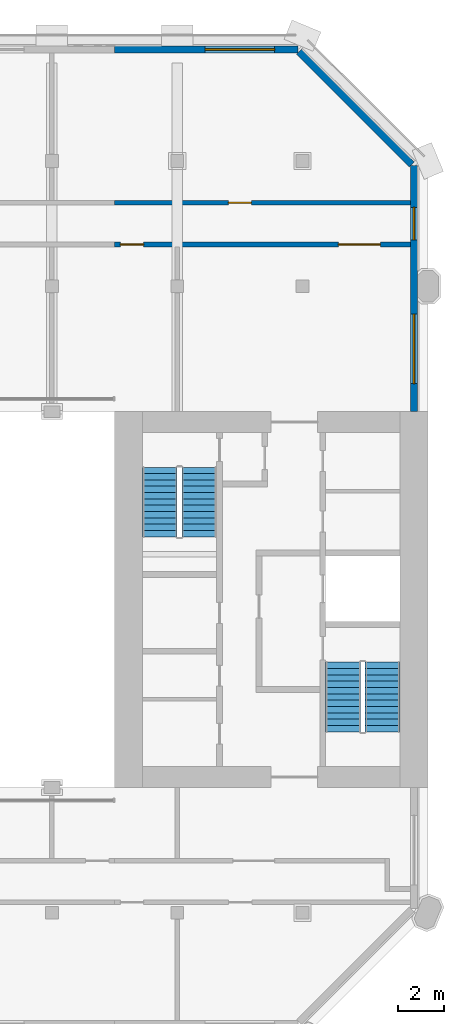
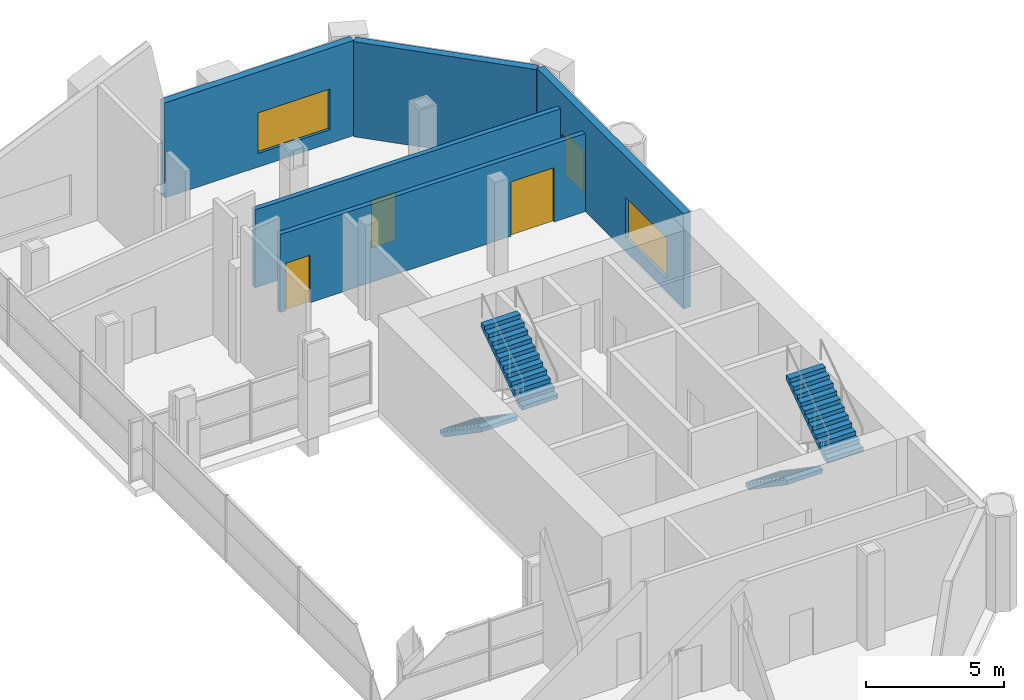
# One storey, part 6 of 8: 5 walls, 4 stair flights, 3 doors, 3 windows, 6 openings, 2 elements without a shape of their own.
"""IFC4 building model written with IfcOpenShell, lengths in metres."""

import ifcopenshell
import ifcopenshell.guid

model = None  # the IFC model being written
_history = None  # IfcOwnerHistory: only IFC2X3 demands one
_inside = {}  # id of a spatial element -> (the spatial element, [elements in it])
_under = {}  # id of a project, library or spatial element -> (it, [spatial elements below it])
_declared = {}  # id of a project -> (the project, [libraries it declares])
_typed = {}  # id of a type object -> (the type object, [elements of that type])
_made_of = {}  # id of a material, layer set ... -> (it, [elements and type objects made of it])


def new_model(schema):
    """Start an empty IFC model of exactly this schema.

    Asked for "IFC4X3", IfcOpenShell would pick the latest addendum, in which some entities
    have other attributes; the version numbers below select the first issue.
    IFC2X3 requires an IfcOwnerHistory on every rooted entity: one is made here for all.
    """
    global model, _history
    if schema == "IFC4X3":
        model = ifcopenshell.file(schema_version=(4, 3, 0, 0))
    else:
        model = ifcopenshell.file(schema=schema)
    _inside.clear()
    _under.clear()
    _declared.clear()
    _typed.clear()
    _made_of.clear()
    _history = None
    if model.schema == "IFC2X3":
        org = make("IfcOrganization", Name="unknown")
        user = make(
            "IfcPersonAndOrganization",
            ThePerson=make("IfcPerson", FamilyName="unknown"),
            TheOrganization=org,
        )
        app = make(
            "IfcApplication",
            ApplicationDeveloper=org,
            Version="unknown",
            ApplicationFullName="unknown",
            ApplicationIdentifier="unknown",
        )
        _history = make(
            "IfcOwnerHistory",
            OwningUser=user,
            OwningApplication=app,
            ChangeAction="ADDED",
            CreationDate=0,
        )
    return model


def make(cls, **values):
    """One entity of the class cls with the attributes given. An attribute that is None is left unset."""
    return model.create_entity(
        cls, **{name: value for name, value in values.items() if value is not None}
    )


def rooted(cls, **values):
    """An entity with a GlobalId (a new one), such as an element, a storey or a relation."""
    return make(cls, GlobalId=ifcopenshell.guid.new(), OwnerHistory=_history, **values)


def si_unit(unit_type, name, prefix=None):
    """IfcSIUnit, for example si_unit("LENGTHUNIT", "METRE", prefix="MILLI")."""
    return make("IfcSIUnit", UnitType=unit_type, Prefix=prefix, Name=name)


def assignment(units):
    """IfcUnitAssignment: the units of a project."""
    return None if units is None else make("IfcUnitAssignment", Units=units)


def point(xyz):
    """IfcCartesianPoint."""
    return None if xyz is None else make("IfcCartesianPoint", Coordinates=xyz)


def direction(xyz):
    """IfcDirection."""
    return None if xyz is None else make("IfcDirection", DirectionRatios=xyz)


def frame(location, z_axis=None, x_axis=None):
    """IfcAxis2Placement3D, a coordinate frame: its origin and axes. An axis left out is left unset."""
    return make(
        "IfcAxis2Placement3D",
        Location=point(location),
        Axis=direction(z_axis),
        RefDirection=direction(x_axis),
    )


def frame_2d(location, x_axis=None):
    """IfcAxis2Placement2D, a coordinate frame in the plane: its origin and x axis."""
    return make(
        "IfcAxis2Placement2D", Location=point(location), RefDirection=direction(x_axis)
    )


def origin():
    """The frame at (0, 0, 0) with its axes left unset."""
    return frame((0.0, 0.0, 0.0))


def place(relative_to, where):
    """IfcLocalPlacement: puts the frame where relative to a parent placement (None: the world)."""
    return make(
        "IfcLocalPlacement", PlacementRelTo=relative_to, RelativePlacement=where
    )


def context(
    kind, dimensions, precision=None, world=None, true_north=None, identifier=None
):
    """IfcGeometricRepresentationContext, for example the 3D "Model" context."""
    return make(
        "IfcGeometricRepresentationContext",
        ContextIdentifier=identifier,
        ContextType=kind,
        CoordinateSpaceDimension=dimensions,
        Precision=precision,
        WorldCoordinateSystem=world,
        TrueNorth=true_north,
    )


def subcontext(parent, identifier, kind, view, scale=None):
    """IfcGeometricRepresentationSubContext, for example "Body" below "Model"."""
    return make(
        "IfcGeometricRepresentationSubContext",
        ContextIdentifier=identifier,
        ContextType=kind,
        ParentContext=parent,
        TargetScale=scale,
        TargetView=view,
    )


def project(units=None, contexts=None):
    """IfcProject with its units and contexts."""
    return rooted(
        "IfcProject",
        Name="project",
        RepresentationContexts=contexts,
        UnitsInContext=assignment(units),
    )


def spatial(cls, under=None, at=None, **own):
    """A site, building, storey or space (cls), placed at a placement, below another one or the project."""
    s = rooted(cls, ObjectPlacement=at, **own)
    if under is not None:
        _under.setdefault(under.id(), (under, []))[1].append(s)
    return s


def polyline(points):
    """IfcPolyline through the points."""
    return make("IfcPolyline", Points=[point(p) for p in points])


def profile(cls, at=None, kind="AREA", **sizes):
    """A parametric profile (cls). Its sizes go by their IFC names, for example OverallWidth=200.0."""
    return make(cls, ProfileType=kind, Position=at, **sizes)


def rectangle(**sizes):
    """IfcRectangleProfileDef."""
    return profile("IfcRectangleProfileDef", **sizes)


def outline(outer, holes=None, kind="AREA"):
    """IfcArbitraryClosedProfileDef: a profile drawn as a closed curve; with holes, ...WithVoids."""
    if holes is None:
        return make("IfcArbitraryClosedProfileDef", ProfileType=kind, OuterCurve=outer)
    return make(
        "IfcArbitraryProfileDefWithVoids",
        ProfileType=kind,
        OuterCurve=outer,
        InnerCurves=holes,
    )


def extrude(swept, where, along, depth):
    """IfcExtrudedAreaSolid: the profile swept, set in the frame where, extruded along a direction by depth."""
    return make(
        "IfcExtrudedAreaSolid",
        SweptArea=swept,
        Position=where,
        ExtrudedDirection=direction(along),
        Depth=depth,
    )


def shape(context_of_items, identifier, shape_type, items):
    """IfcShapeRepresentation: the items that make up one representation, for example the "Body"."""
    return make(
        "IfcShapeRepresentation",
        ContextOfItems=context_of_items,
        RepresentationIdentifier=identifier,
        RepresentationType=shape_type,
        Items=items,
    )


def material(Name=None, Category=None):
    """IfcMaterial."""
    return make("IfcMaterial", Name=Name, Category=Category)


def layer(
    of_material, thickness, ventilated=None, Name=None, Category=None, Priority=None
):
    """IfcMaterialLayer: one layer of a wall or slab, of a material (None: an air gap)."""
    return make(
        "IfcMaterialLayer",
        Material=of_material,
        LayerThickness=thickness,
        IsVentilated=ventilated,
        Name=Name,
        Category=Category,
        Priority=Priority,
    )


def layer_set(layers, Name=None):
    """IfcMaterialLayerSet."""
    return make("IfcMaterialLayerSet", MaterialLayers=layers, LayerSetName=Name)


def made_of(thing, what):
    """Note that an element or type object is made of a material, layer set ...; save() writes the relation."""
    if what is not None:
        _made_of.setdefault(what.id(), (what, []))[1].append(thing)
    return thing


def type_object(cls, material=None, **own):
    """A type object (cls), such as IfcWallType, which elements share."""
    return made_of(rooted(cls, **own), material)


def element(
    cls,
    number,
    at=None,
    inside=None,
    cuts=None,
    type_object=None,
    material=None,
    context=None,
    identifier="Body",
    shape_type=None,
    held_by="IfcProductDefinitionShape",
    body=None,
    shapes=None,
    **own,
):
    """One element of the class cls, such as IfcWall. Its Tag is "e" and its number.

    at: its placement. inside: the storey or other place that contains it. cuts: it is an
    opening in that element (IfcRelVoidsElement). A single representation is given by context,
    identifier, shape_type and body (its items); several are given by shapes. held_by: the class
    of the entity that holds the representations. save() writes the other relations.
    """
    e = rooted(cls, Tag="e%d" % number, ObjectPlacement=at, **own)
    if body is not None:
        shapes = [shape(context, identifier, shape_type, body)]
    if shapes is not None:
        e.Representation = make(held_by, Representations=shapes)
    if inside is not None:
        _inside.setdefault(inside.id(), (inside, []))[1].append(e)
    if cuts is not None:
        rooted(
            "IfcRelVoidsElement", RelatingBuildingElement=cuts, RelatedOpeningElement=e
        )
    if type_object is not None:
        _typed.setdefault(type_object.id(), (type_object, []))[1].append(e)
    return made_of(e, material)


def fill(opening, filler):
    """IfcRelFillsElement: the door or window that sits in an opening."""
    return rooted(
        "IfcRelFillsElement",
        RelatingOpeningElement=opening,
        RelatedBuildingElement=filler,
    )


def aggregate(whole, parts):
    """IfcRelAggregates: a whole, such as a stair, and the parts it consists of."""
    return rooted("IfcRelAggregates", RelatingObject=whole, RelatedObjects=parts)


def save(model, path):
    """Write the relations noted so far, then the file.

    IfcRelAggregates (storeys below a building ...), IfcRelContainedInSpatialStructure (elements
    in a storey), IfcRelDefinesByType, IfcRelAssociatesMaterial and IfcRelDeclares: one each for
    every whole, place, type object, material and project.
    """
    for whole, parts in _under.values():
        aggregate(whole, parts)
    for where, things in _inside.values():
        rooted(
            "IfcRelContainedInSpatialStructure",
            RelatedElements=things,
            RelatingStructure=where,
        )
    for kind, things in _typed.values():
        rooted("IfcRelDefinesByType", RelatedObjects=things, RelatingType=kind)
    for what, things in _made_of.values():
        rooted("IfcRelAssociatesMaterial", RelatedObjects=things, RelatingMaterial=what)
    for by, libraries in _declared.values():
        rooted("IfcRelDeclares", RelatingContext=by, RelatedDefinitions=libraries)
    model.write(path)


model = new_model("IFC4")

# Units and contexts
model_context = context("Model", 3, precision=1e-05, world=origin(), true_north=direction((0.0, 1.0)))
body_context = subcontext(model_context, "Body", "Model", "MODEL_VIEW")
ifc_project = project(units=[si_unit("LENGTHUNIT", "METRE"), si_unit("AREAUNIT", "SQUARE_METRE"), si_unit("VOLUMEUNIT", "CUBIC_METRE"), si_unit("PLANEANGLEUNIT", "RADIAN"), si_unit("MASSUNIT", "GRAM", prefix="KILO")], contexts=[model_context])

# Site, building, storey
site_placement = place(None, origin())
site = spatial("IfcSite", under=ifc_project, at=site_placement, CompositionType="ELEMENT")
building_placement = place(site_placement, origin())
building = spatial("IfcBuilding", under=site, at=building_placement, Name="Tabaq Tower and Sports Hall", CompositionType="ELEMENT")
storey_placement = place(building_placement, frame((0.0, 0.0, 330.699951171875)))
storey = spatial("IfcBuildingStorey", under=building, at=storey_placement, Name="L82", CompositionType="ELEMENT", Elevation=330.699951171875)

# Wall, opening, door
ifc_material_1 = material(Name="Blockwork", Category="masonry")
ifc_layer_1 = layer(ifc_material_1, 0.199951171875)
ifc_layer_set_1 = layer_set([ifc_layer_1], Name="Fire compartment wall 200 Blockwork")
wall_type_1 = type_object("IfcWallType", Name="Fire compartment wall 200 Blockwork", PredefinedType="PARTITIONING", material=ifc_layer_set_1)
wall_1_placement = place(storey_placement, frame((29.699951171875, 41.39990234375, 0.0), z_axis=(0.0, 0.0, 1.0), x_axis=(1.0, 0.0, 0.0)))
wall_1 = element("IfcWall", 1, at=wall_1_placement, inside=storey, type_object=wall_type_1, Name="Compartment wall L82", PredefinedType="PARTITIONING", context=body_context, shape_type="SweptSolid", body=[
    extrude(rectangle(XDim=12.7490234375, YDim=0.199951171875, at=frame_2d((6.37451171875, 0.0))), origin(), (0.0, 0.0, 1.0), 3.449951171875),
])
opening_1_placement = place(wall_1_placement, frame((4.89990234375, 0.0, 0.0)))
opening_1 = element("IfcOpeningElement", 2, at=opening_1_placement, cuts=wall_1, Name="Opening L82-001", PredefinedType="OPENING", context=body_context, shape_type="SweptSolid", body=[
    extrude(rectangle(XDim=1.0, YDim=2.10009765625, at=frame_2d((0.5, 1.050048828125))), frame((0.0, 0.10009765625, 0.0), z_axis=(0.0, -1.0, 0.0), x_axis=(1.0, 0.0, 0.0)), (0.0, 0.0, 1.0), 0.199951171875),
])
ifc_material_2 = material(Name="Steel fire door", Category="steel")
door_type_1 = type_object("IfcDoorType", Name="Plant room door 1000 right hand", OperationType="SINGLE_SWING_RIGHT", PredefinedType="DOOR", material=ifc_material_2)
door_1_placement = place(opening_1_placement, origin())
door_1 = element("IfcDoor", 3, at=door_1_placement, inside=storey, type_object=door_type_1, Name="Plant room door L82-001", OperationType="SINGLE_SWING_RIGHT", OverallHeight=2.10009765625, OverallWidth=1.0, PredefinedType="DOOR", context=body_context, shape_type="SweptSolid", body=[
    extrude(rectangle(XDim=1.0, YDim=2.10009765625, at=frame_2d((0.5, 1.050048828125))), frame((0.0, 0.02490234375, 0.0), z_axis=(0.0, -1.0, 0.0), x_axis=(1.0, 0.0, 0.0)), (0.0, 0.0, 1.0), 0.050048828125),
])
fill(opening_1, door_1)

# Wall, openings, doors
wall_2_placement = place(storey_placement, frame((42.448974609375, 39.60009765625, 0.0), z_axis=(0.0, 0.0, 1.0), x_axis=(-1.0, 0.0, 0.0)))
wall_2 = element("IfcWall", 4, at=wall_2_placement, inside=storey, type_object=wall_type_1, Name="Compartment wall L82", PredefinedType="PARTITIONING", context=body_context, shape_type="SweptSolid", body=[
    extrude(rectangle(XDim=12.7490234375, YDim=0.199951171875, at=frame_2d((6.37451171875, 0.0))), origin(), (0.0, 0.0, 1.0), 3.449951171875),
])
opening_2_placement = place(wall_2_placement, frame((11.4990234375, 0.0, 0.0)))
opening_2 = element("IfcOpeningElement", 5, at=opening_2_placement, cuts=wall_2, Name="Opening L82-003", PredefinedType="OPENING", context=body_context, shape_type="SweptSolid", body=[
    extrude(rectangle(XDim=1.0, YDim=2.10009765625, at=frame_2d((0.5, 1.050048828125))), frame((0.0, 0.10009765625, 0.0), z_axis=(0.0, -1.0, 0.0), x_axis=(1.0, 0.0, 0.0)), (0.0, 0.0, 1.0), 0.199951171875),
])
opening_3_placement = place(wall_2_placement, frame((1.299072265625, 0.0, 0.0)))
opening_3 = element("IfcOpeningElement", 6, at=opening_3_placement, cuts=wall_2, Name="Opening L82-009", PredefinedType="OPENING", context=body_context, shape_type="SweptSolid", body=[
    extrude(rectangle(XDim=1.800048828125, YDim=2.39990234375, at=frame_2d((0.89990234375, 1.199951171875))), frame((0.0, 0.10009765625, 0.0), z_axis=(0.0, -1.0, 0.0), x_axis=(1.0, 0.0, 0.0)), (0.0, 0.0, 1.0), 0.199951171875),
])
door_2_placement = place(opening_2_placement, origin())
door_2 = element("IfcDoor", 7, at=door_2_placement, inside=storey, type_object=door_type_1, Name="Plant room door L82-003", OperationType="SINGLE_SWING_RIGHT", OverallHeight=2.10009765625, OverallWidth=1.0, PredefinedType="DOOR", context=body_context, shape_type="SweptSolid", body=[
    extrude(rectangle(XDim=1.0, YDim=2.10009765625, at=frame_2d((0.5, 1.050048828125))), frame((0.0, 0.02490234375, 0.0), z_axis=(0.0, -1.0, 0.0), x_axis=(1.0, 0.0, 0.0)), (0.0, 0.0, 1.0), 0.050048828125),
])
fill(opening_2, door_2)
ifc_material_3 = material(Name="Steel fire door", Category="steel")
door_type_2 = type_object("IfcDoorType", Name="Plant room door 1800", OperationType="DOUBLE_DOOR_SINGLE_SWING", PredefinedType="DOOR", material=ifc_material_3)
door_3_placement = place(opening_3_placement, origin())
door_3 = element("IfcDoor", 8, at=door_3_placement, inside=storey, type_object=door_type_2, Name="Plant room door L82-009", OperationType="DOUBLE_DOOR_SINGLE_SWING", OverallHeight=2.39990234375, OverallWidth=1.800048828125, PredefinedType="DOOR", context=body_context, shape_type="SweptSolid", body=[
    extrude(rectangle(XDim=1.800048828125, YDim=2.39990234375, at=frame_2d((0.89990234375, 1.199951171875))), frame((0.0, 0.02490234375, 0.0), z_axis=(0.0, -1.0, 0.0), x_axis=(1.0, 0.0, 0.0)), (0.0, 0.0, 1.0), 0.050048828125),
])
fill(opening_3, door_3)

# Wall, openings, windows
ifc_material_4 = material(Name="White precast concrete C60/75", Category="concrete")
ifc_layer_2 = layer(ifc_material_4, 0.300048828125)
ifc_layer_set_2 = layer_set([ifc_layer_2], Name="White precast concrete C60/75 external wall 300")
wall_type_2 = type_object("IfcWallType", Name="White precast concrete C60/75 external wall 300", PredefinedType="SOLIDWALL", material=ifc_layer_set_2)
wall_3_placement = place(storey_placement, frame((42.60009765625, 32.39990234375, 0.0), z_axis=(0.0, 0.0, 1.0), x_axis=(0.0, 1.0, 0.0)))
wall_3 = element("IfcWall", 9, at=wall_3_placement, inside=storey, type_object=wall_type_2, Name="External Wall L82 E", PredefinedType="SOLIDWALL", context=body_context, shape_type="SweptSolid", body=[
    extrude(outline(polyline([(0.0, 0.0), (10.61376953125, 0.0), (10.613525390625, 4.199951171875), (10.02392578125, 4.199951171875), (9.434326171875, 4.199951171875), (8.8447265625, 4.199951171875), (8.255126953125, 4.199951171875), (7.665283203125, 4.199951171875), (7.07568359375, 4.199951171875), (6.486083984375, 4.199951171875), (5.896484375, 4.199951171875), (5.306884765625, 4.199951171875), (4.717041015625, 4.199951171875), (4.12744140625, 4.199951171875), (3.537841796875, 4.199951171875), (2.9482421875, 4.199951171875), (2.358642578125, 4.199951171875), (1.76904296875, 4.199951171875), (1.17919921875, 4.199951171875), (0.589599609375, 4.199951171875), (0.0, 4.199951171875), (0.0, 0.0)])), frame((0.0, 0.14990234375, 0.0), z_axis=(0.0, -1.0, 0.0), x_axis=(1.0, 0.0, 0.0)), (0.0, 0.0, 1.0), 0.300048828125),
])
opening_4_placement = place(wall_3_placement, frame((1.199951171875, 0.0, 0.60009765625)))
opening_4 = element("IfcOpeningElement", 10, at=opening_4_placement, cuts=wall_3, Name="Opening LV1", PredefinedType="OPENING", context=body_context, shape_type="SweptSolid", body=[
    extrude(rectangle(XDim=3.0, YDim=1.800048828125, at=frame_2d((1.5, 0.89990234375))), frame((0.0, 0.16015625, 0.0), z_axis=(0.0, -1.0, 0.0), x_axis=(1.0, 0.0, 0.0)), (0.0, 0.0, 1.0), 0.320068359375),
])
opening_5_placement = place(wall_3_placement, frame((7.396484375, 0.0, 0.60009765625)))
opening_5 = element("IfcOpeningElement", 11, at=opening_5_placement, cuts=wall_3, Name="Opening LV3", PredefinedType="OPENING", context=body_context, shape_type="SweptSolid", body=[
    extrude(rectangle(XDim=1.39990234375, YDim=1.800048828125, at=frame_2d((0.699951171875, 0.89990234375))), frame((0.0, 0.16015625, 0.0), z_axis=(0.0, -1.0, 0.0), x_axis=(1.0, 0.0, 0.0)), (0.0, 0.0, 1.0), 0.320068359375),
])
ifc_material_5 = material(Name="Aluminium alloy 6063-T6 louvre blades", Category="aluminium")
window_type_1 = type_object("IfcWindowType", Name="Plant louvre LV1", PartitioningType="SINGLE_PANEL", PredefinedType="WINDOW", material=ifc_material_5)
window_1_placement = place(opening_4_placement, origin())
window_1 = element("IfcWindow", 12, at=window_1_placement, inside=storey, type_object=window_type_1, Name="Plant louvre L82", OverallHeight=1.800048828125, OverallWidth=3.0, PartitioningType="SINGLE_PANEL", PredefinedType="WINDOW", context=body_context, shape_type="SweptSolid", body=[
    extrude(rectangle(XDim=3.0, YDim=1.800048828125, at=frame_2d((1.5, 0.89990234375))), frame((0.0, 0.030029296875, 0.0), z_axis=(0.0, -1.0, 0.0), x_axis=(1.0, 0.0, 0.0)), (0.0, 0.0, 1.0), 0.06005859375),
])
fill(opening_4, window_1)
ifc_material_6 = material(Name="Aluminium alloy 6063-T6 louvre blades", Category="aluminium")
window_type_2 = type_object("IfcWindowType", Name="Plant louvre LV3", PartitioningType="SINGLE_PANEL", PredefinedType="WINDOW", material=ifc_material_6)
window_2_placement = place(opening_5_placement, origin())
window_2 = element("IfcWindow", 13, at=window_2_placement, inside=storey, type_object=window_type_2, Name="Plant louvre L82", OverallHeight=1.800048828125, OverallWidth=1.39990234375, PartitioningType="SINGLE_PANEL", PredefinedType="WINDOW", context=body_context, shape_type="SweptSolid", body=[
    extrude(rectangle(XDim=1.39990234375, YDim=1.800048828125, at=frame_2d((0.699951171875, 0.89990234375))), frame((0.0, 0.030029296875, 0.0), z_axis=(0.0, -1.0, 0.0), x_axis=(1.0, 0.0, 0.0)), (0.0, 0.0, 1.0), 0.06005859375),
])
fill(opening_5, window_2)

# Wall
wall_4_placement = place(storey_placement, frame((42.5009765625, 43.050537109375, 0.0), z_axis=(0.0, 0.0, 1.0), x_axis=(-0.707106781187, 0.707106781187, 0.0)))
element("IfcWall", 14, at=wall_4_placement, inside=storey, type_object=wall_type_2, Name="External Wall L82 NE", PredefinedType="SOLIDWALL", context=body_context, shape_type="SweptSolid", body=[
    extrude(outline(polyline([(0.0, 0.0), (6.85986328125, 0.0), (6.859619140625, 4.199951171875), (6.2880859375, 4.199951171875), (5.71630859375, 4.199951171875), (5.144775390625, 4.199951171875), (4.5732421875, 4.199951171875), (4.00146484375, 4.199951171875), (3.429931640625, 4.199951171875), (2.858154296875, 4.199951171875), (2.28662109375, 4.199951171875), (1.71484375, 4.199951171875), (1.143310546875, 4.199951171875), (0.571533203125, 4.199951171875), (0.0, 4.199951171875), (0.0, 0.0)])), frame((0.0, 0.14990234375, 0.0), z_axis=(0.0, -1.0, 0.0), x_axis=(1.0, 0.0, 0.0)), (0.0, 0.0, 1.0), 0.300048828125),
])

# Wall, opening, window
wall_5_placement = place(storey_placement, frame((37.613525390625, 48.0, 0.0), z_axis=(0.0, 0.0, 1.0), x_axis=(-1.0, 0.0, 0.0)))
wall_5 = element("IfcWall", 15, at=wall_5_placement, inside=storey, type_object=wall_type_2, Name="External Wall L82 N", PredefinedType="SOLIDWALL", context=body_context, shape_type="SweptSolid", body=[
    extrude(outline(polyline([(0.0, 0.0), (7.91357421875, 0.0), (7.91357421875, 4.199951171875), (7.348388671875, 4.199951171875), (6.783203125, 4.199951171875), (6.2177734375, 4.199951171875), (5.652587890625, 4.199951171875), (5.08740234375, 4.199951171875), (4.52197265625, 4.199951171875), (3.956787109375, 4.199951171875), (3.3916015625, 4.199951171875), (2.826171875, 4.199951171875), (2.260986328125, 4.199951171875), (1.69580078125, 4.199951171875), (1.130615234375, 4.199951171875), (0.565185546875, 4.199951171875), (0.0, 4.199951171875), (0.0, 0.0)])), frame((0.0, 0.14990234375, 0.0), z_axis=(0.0, -1.0, 0.0), x_axis=(1.0, 0.0, 0.0)), (0.0, 0.0, 1.0), 0.300048828125),
])
opening_6_placement = place(wall_5_placement, frame((1.013671875, 0.0, 0.60009765625)))
opening_6 = element("IfcOpeningElement", 16, at=opening_6_placement, cuts=wall_5, Name="Opening LV1", PredefinedType="OPENING", context=body_context, shape_type="SweptSolid", body=[
    extrude(rectangle(XDim=3.0, YDim=1.800048828125, at=frame_2d((1.5, 0.89990234375))), frame((0.0, 0.16015625, 0.0), z_axis=(0.0, -1.0, 0.0), x_axis=(1.0, 0.0, 0.0)), (0.0, 0.0, 1.0), 0.320068359375),
])
window_3_placement = place(opening_6_placement, origin())
window_3 = element("IfcWindow", 17, at=window_3_placement, inside=storey, type_object=window_type_1, Name="Plant louvre L82", OverallHeight=1.800048828125, OverallWidth=3.0, PartitioningType="SINGLE_PANEL", PredefinedType="WINDOW", context=body_context, shape_type="SweptSolid", body=[
    extrude(rectangle(XDim=3.0, YDim=1.800048828125, at=frame_2d((1.5, 0.89990234375))), frame((0.0, 0.030029296875, 0.0), z_axis=(0.0, -1.0, 0.0), x_axis=(1.0, 0.0, 0.0)), (0.0, 0.0, 1.0), 0.06005859375),
])
fill(opening_6, window_3)

# Stair, stair flights
ifc_material_7 = material(Name="Concrete C40/50", Category="concrete")
stair_type = type_object("IfcStairType", Name="Exit stair", PredefinedType="HALF_TURN_STAIR", material=ifc_material_7)
stair_1_placement = place(storey_placement, origin())
stair_1 = element("IfcStair", 18, at=stair_1_placement, inside=storey, type_object=stair_type, Name="L82 Exit stair ST3", PredefinedType="HALF_TURN_STAIR")
ifc_material_8 = material(Name="Concrete C40/50", Category="concrete")
stair_flight_type = type_object("IfcStairFlightType", Name="Exit stair flight", PredefinedType="STRAIGHT", material=ifc_material_8)
stair_flight_1_placement = place(storey_placement, frame((39.550048828125, 21.60009765625, 0.0), z_axis=(0.0, 0.0, 1.0), x_axis=(0.0, -1.0, 0.0)))
stair_flight_1 = element("IfcStairFlight", 19, at=stair_flight_1_placement, type_object=stair_flight_type, Name="ST3 flight 1", NumberOfRisers=12, NumberOfTreads=11, PredefinedType="STRAIGHT", RiserHeight=0.1875, TreadLength=0.272727273, context=body_context, shape_type="SweptSolid", body=[
    extrude(outline(polyline([(0.0, 0.0), (0.0, 0.1875), (0.272705078125, 0.1875), (0.272705078125, 0.375), (0.54541015625, 0.375), (0.54541015625, 0.5625), (0.818115234375, 0.5625), (0.818115234375, 0.75), (1.0908203125, 0.75), (1.0908203125, 0.9375), (1.363525390625, 0.9375), (1.363525390625, 1.125), (1.636474609375, 1.125), (1.636474609375, 1.3125), (1.9091796875, 1.3125), (1.9091796875, 1.5), (2.181884765625, 1.5), (2.181884765625, 1.6875), (2.45458984375, 1.6875), (2.45458984375, 1.875), (2.727294921875, 1.875), (2.727294921875, 2.0625), (3.0, 2.0625), (3.0, 2.25), (3.0, 1.880615234375), (0.2646484375, 0.0), (0.0, 0.0)])), frame((0.0, 0.75, 0.0), z_axis=(0.0, -1.0, 0.0), x_axis=(1.0, 0.0, 0.0)), (0.0, 0.0, 1.0), 1.5),
])
stair_flight_2_placement = place(storey_placement, frame((41.25, 18.60009765625, 2.25), z_axis=(0.0, 0.0, 1.0), x_axis=(0.0, 1.0, 0.0)))
stair_flight_2 = element("IfcStairFlight", 20, at=stair_flight_2_placement, type_object=stair_flight_type, Name="ST3 flight 2", NumberOfRisers=12, NumberOfTreads=11, PredefinedType="STRAIGHT", RiserHeight=0.1875, TreadLength=0.272727273, context=body_context, shape_type="SweptSolid", body=[
    extrude(outline(polyline([(0.0, 0.0), (0.0, 0.1875), (0.272705078125, 0.1875), (0.272705078125, 0.375), (0.54541015625, 0.375), (0.54541015625, 0.5625), (0.818115234375, 0.5625), (0.818115234375, 0.75), (1.0908203125, 0.75), (1.0908203125, 0.9375), (1.363525390625, 0.9375), (1.363525390625, 1.125), (1.636474609375, 1.125), (1.636474609375, 1.3125), (1.9091796875, 1.3125), (1.9091796875, 1.5), (2.181884765625, 1.5), (2.181884765625, 1.6875), (2.45458984375, 1.6875), (2.45458984375, 1.875), (2.727294921875, 1.875), (2.727294921875, 2.0625), (3.0, 2.0625), (3.0, 2.25), (3.0, 1.880615234375), (0.2646484375, 0.0), (0.0, 0.0)])), frame((0.0, 0.75, 0.0), z_axis=(0.0, -1.0, 0.0), x_axis=(1.0, 0.0, 0.0)), (0.0, 0.0, 1.0), 1.5),
])
aggregate(stair_1, [stair_flight_1, stair_flight_2])

stair_2_placement = place(storey_placement, origin())
stair_2 = element("IfcStair", 21, at=stair_2_placement, inside=storey, type_object=stair_type, Name="L82 Exit stair ST4", PredefinedType="HALF_TURN_STAIR")
stair_flight_3_placement = place(storey_placement, frame((31.64990234375, 30.0, 0.0), z_axis=(0.0, 0.0, 1.0), x_axis=(0.0, -1.0, 0.0)))
stair_flight_3 = element("IfcStairFlight", 22, at=stair_flight_3_placement, type_object=stair_flight_type, Name="ST4 flight 1", NumberOfRisers=12, NumberOfTreads=11, PredefinedType="STRAIGHT", RiserHeight=0.1875, TreadLength=0.272727273, context=body_context, shape_type="SweptSolid", body=[
    extrude(outline(polyline([(0.0, 0.0), (0.0, 0.1875), (0.272705078125, 0.1875), (0.272705078125, 0.375), (0.54541015625, 0.375), (0.54541015625, 0.5625), (0.818115234375, 0.5625), (0.818115234375, 0.75), (1.0908203125, 0.75), (1.0908203125, 0.9375), (1.363525390625, 0.9375), (1.363525390625, 1.125), (1.636474609375, 1.125), (1.636474609375, 1.3125), (1.9091796875, 1.3125), (1.9091796875, 1.5), (2.181884765625, 1.5), (2.181884765625, 1.6875), (2.45458984375, 1.6875), (2.45458984375, 1.875), (2.727294921875, 1.875), (2.727294921875, 2.0625), (3.0, 2.0625), (3.0, 2.25), (3.0, 1.880615234375), (0.2646484375, 0.0), (0.0, 0.0)])), frame((0.0, 0.75, 0.0), z_axis=(0.0, -1.0, 0.0), x_axis=(1.0, 0.0, 0.0)), (0.0, 0.0, 1.0), 1.5),
])
stair_flight_4_placement = place(storey_placement, frame((33.35009765625, 27.0, 2.25), z_axis=(0.0, 0.0, 1.0), x_axis=(0.0, 1.0, 0.0)))
stair_flight_4 = element("IfcStairFlight", 23, at=stair_flight_4_placement, type_object=stair_flight_type, Name="ST4 flight 2", NumberOfRisers=12, NumberOfTreads=11, PredefinedType="STRAIGHT", RiserHeight=0.1875, TreadLength=0.272727273, context=body_context, shape_type="SweptSolid", body=[
    extrude(outline(polyline([(0.0, 0.0), (0.0, 0.1875), (0.272705078125, 0.1875), (0.272705078125, 0.375), (0.54541015625, 0.375), (0.54541015625, 0.5625), (0.818115234375, 0.5625), (0.818115234375, 0.75), (1.0908203125, 0.75), (1.0908203125, 0.9375), (1.363525390625, 0.9375), (1.363525390625, 1.125), (1.636474609375, 1.125), (1.636474609375, 1.3125), (1.9091796875, 1.3125), (1.9091796875, 1.5), (2.181884765625, 1.5), (2.181884765625, 1.6875), (2.45458984375, 1.6875), (2.45458984375, 1.875), (2.727294921875, 1.875), (2.727294921875, 2.0625), (3.0, 2.0625), (3.0, 2.25), (3.0, 1.880615234375), (0.2646484375, 0.0), (0.0, 0.0)])), frame((0.0, 0.75, 0.0), z_axis=(0.0, -1.0, 0.0), x_axis=(1.0, 0.0, 0.0)), (0.0, 0.0, 1.0), 1.5),
])
aggregate(stair_2, [stair_flight_3, stair_flight_4])

save(model, "model.ifc")
